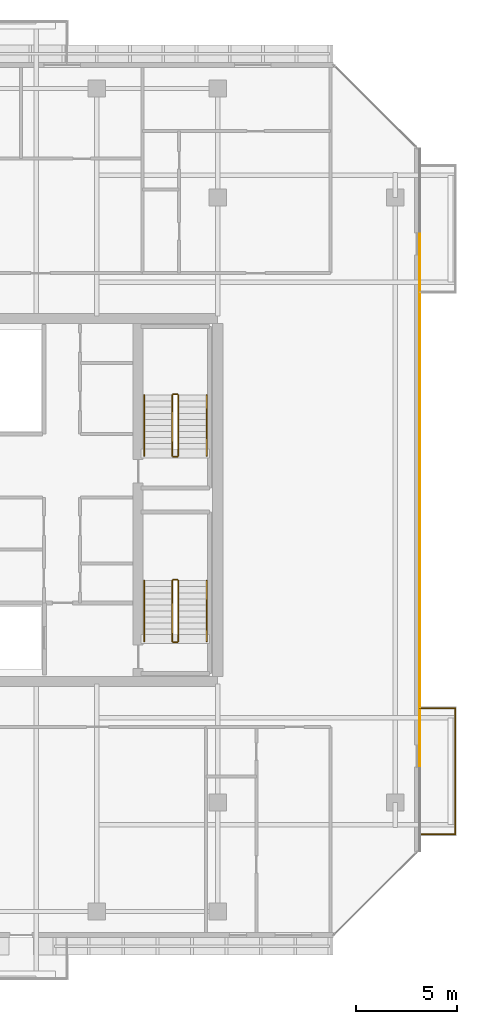
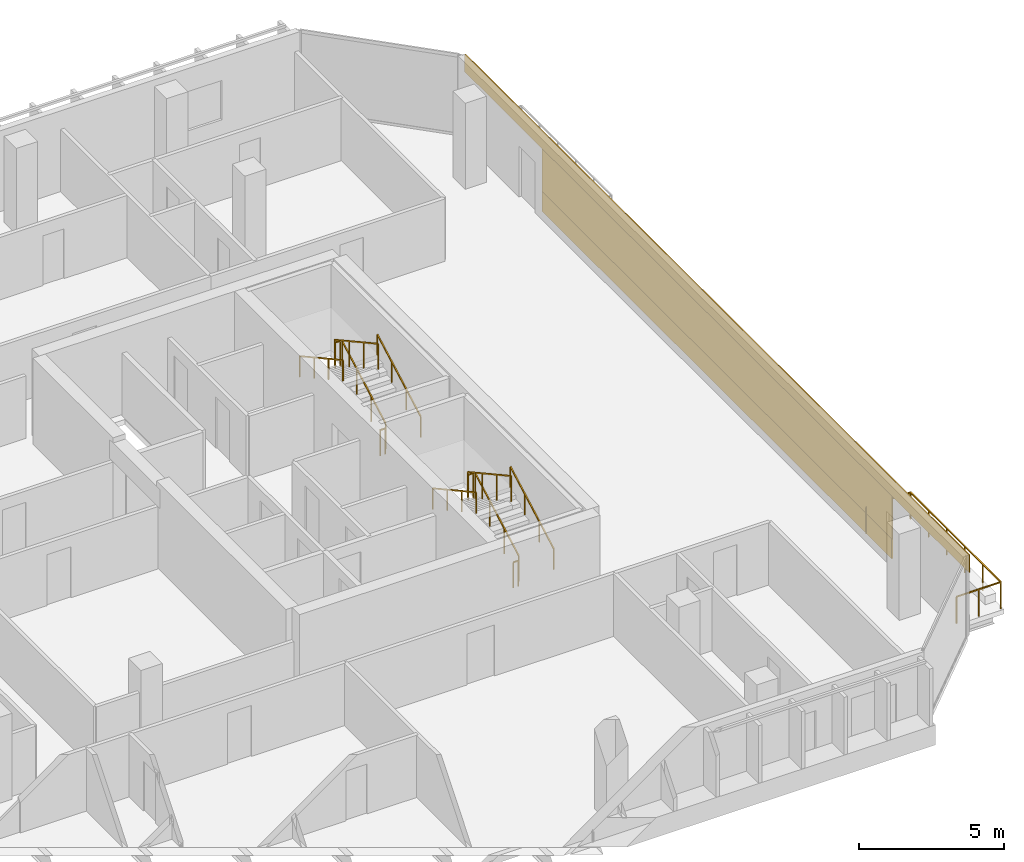
# One storey, part 29 of 30: 13 railings, 3 coverings.
"""IFC4 building model written with IfcOpenShell, lengths in metres."""

from ifc_helpers import new_model, si_unit, direction, frame, origin, origin_2d, place, context, subcontext, project, spatial, rectangle, extrude, material, layer, layer_set, type_object, element, save


model = new_model("IFC4")

# Units and contexts
model_context = context("Model", 3, precision=1e-05, world=origin(), true_north=direction((0.0, 1.0)))
body_context = subcontext(model_context, "Body", "Model", "MODEL_VIEW")
ifc_project = project(units=[si_unit("LENGTHUNIT", "METRE"), si_unit("AREAUNIT", "SQUARE_METRE"), si_unit("VOLUMEUNIT", "CUBIC_METRE"), si_unit("PLANEANGLEUNIT", "RADIAN"), si_unit("MASSUNIT", "GRAM", prefix="KILO")], contexts=[model_context])

# Site, building, storey
site_placement = place(None, origin())
site = spatial("IfcSite", under=ifc_project, at=site_placement, CompositionType="ELEMENT")
building_placement = place(site_placement, origin())
building = spatial("IfcBuilding", under=site, at=building_placement, Name="Tanjung Sevakor Pilgrim Tower", CompositionType="ELEMENT")
storey_placement = place(building_placement, frame((0.0, 0.0, 165.659912109375)))
storey = spatial("IfcBuildingStorey", under=building, at=storey_placement, Name="L46", CompositionType="ELEMENT", Elevation=165.659912109375)

# Coverings
ifc_material_1 = material(Name="Reconstructed Limestone Cladding", Category="masonry")
ifc_layer = layer(ifc_material_1, 0.044921875)
ifc_layer_set = layer_set([ifc_layer], Name="COV-CLAD-LIMESTONE")
covering_type = type_object("IfcCoveringType", Name="COV-CLAD-LIMESTONE", PredefinedType="CLADDING", material=ifc_layer_set)
covering_1_placement = place(storey_placement, frame((100.0224609375, 33.60009765625, 0.01025390625), z_axis=(0.0, 0.0, 1.0), x_axis=(0.0, 1.0, 0.0)))
element("IfcCovering", 1, at=covering_1_placement, inside=storey, type_object=covering_type, Name="L46 Warm Limestone Sill Spandrel EW-L46-MAIN-7-2", PredefinedType="CLADDING", context=body_context, shape_type="SweptSolid", body=[
    extrude(rectangle(XDim=24.179931640625, YDim=0.044921875, at=origin_2d()), origin(), (0.0, 0.0, 1.0), 0.840087890625),
])
covering_2_placement = place(storey_placement, frame((100.0224609375, 33.60009765625, 2.66015625), z_axis=(0.0, 0.0, 1.0), x_axis=(0.0, 1.0, 0.0)))
element("IfcCovering", 2, at=covering_2_placement, inside=storey, type_object=covering_type, Name="L46 Warm Limestone Cornice Spandrel EW-L46-MAIN-7", PredefinedType="CLADDING", context=body_context, shape_type="SweptSolid", body=[
    extrude(rectangle(XDim=34.8564453125, YDim=0.044921875, at=origin_2d()), origin(), (0.0, 0.0, 1.0), 0.739990234375),
])
covering_3_placement = place(storey_placement, frame((100.0224609375, 33.60009765625, 0.85009765625), z_axis=(0.0, 0.0, 1.0), x_axis=(0.0, 1.0, 0.0)))
element("IfcCovering", 3, at=covering_3_placement, inside=storey, type_object=covering_type, Name="L46 Warm Limestone Pier Panel EW-L46-MAIN-7-1", PredefinedType="CLADDING", context=body_context, shape_type="SweptSolid", body=[
    extrude(rectangle(XDim=24.199951171875, YDim=0.044921875, at=origin_2d()), origin(), (0.0, 0.0, 1.0), 1.81005859375),
])

# Railings
ifc_material_2 = material(Name="Laminated Glass and Aluminium", Category="aluminium")
railing_type_1 = type_object("IfcRailingType", Name="RL-BAL-BALUST", PredefinedType="BALUSTRADE", material=ifc_material_2)
railing_1_placement = place(storey_placement, frame((100.0, 17.030029296875, 0.0)))
element("IfcRailing", 4, at=railing_1_placement, inside=storey, type_object=railing_type_1, Name="L46 Loggia Balustrade MAIN-E1", PredefinedType="BALUSTRADE", context=body_context, shape_type="SweptSolid", body=[
    extrude(rectangle(XDim=0.0479, YDim=0.0479), frame((0.0, 0.0, 1.1259765625), z_axis=(1.0, 0.0, 0.0), x_axis=(0.0, 1.0, 0.0)), (0.0, 0.0, 1.0), 1.77001953125),
    extrude(rectangle(XDim=0.0479, YDim=0.0479), frame((1.77001953125, 0.0, 1.1259765625), z_axis=(0.0, 1.0, 0.0), x_axis=(-1.0, 0.0, 0.0)), (0.0, 0.0, 1.0), 6.239990234375),
    extrude(rectangle(XDim=0.0479, YDim=0.0479), frame((1.77001953125, 6.239990234375, 1.1259765625), z_axis=(-1.0, 0.0, 0.0), x_axis=(0.0, -1.0, 0.0)), (0.0, 0.0, 1.0), 1.77001953125),
    extrude(rectangle(XDim=0.042, YDim=0.042), origin(), (0.0, 0.0, 1.0), 1.101806640625),
    extrude(rectangle(XDim=0.042, YDim=0.042), frame((0.885009765625, 0.0, 0.0)), (0.0, 0.0, 1.0), 1.101806640625),
    extrude(rectangle(XDim=0.042, YDim=0.042), frame((1.77001953125, 0.0, 0.0)), (0.0, 0.0, 1.0), 1.101806640625),
    extrude(rectangle(XDim=0.042, YDim=0.042), frame((1.77001953125, 1.248046875, 0.0)), (0.0, 0.0, 1.0), 1.101806640625),
    extrude(rectangle(XDim=0.042, YDim=0.042), frame((1.77001953125, 2.49609375, 0.0)), (0.0, 0.0, 1.0), 1.101806640625),
    extrude(rectangle(XDim=0.042, YDim=0.042), frame((1.77001953125, 3.743896484375, 0.0)), (0.0, 0.0, 1.0), 1.101806640625),
    extrude(rectangle(XDim=0.042, YDim=0.042), frame((1.77001953125, 4.991943359375, 0.0)), (0.0, 0.0, 1.0), 1.101806640625),
    extrude(rectangle(XDim=0.042, YDim=0.042), frame((1.77001953125, 6.239990234375, 0.0)), (0.0, 0.0, 1.0), 1.101806640625),
    extrude(rectangle(XDim=0.042, YDim=0.042), frame((0.885009765625, 6.239990234375, 0.0)), (0.0, 0.0, 1.0), 1.101806640625),
    extrude(rectangle(XDim=0.042, YDim=0.042), frame((0.0, 6.239990234375, 0.0)), (0.0, 0.0, 1.0), 1.101806640625),
])
ifc_material_3 = material(Name="Steel S355J2", Category="steel")
railing_type_2 = type_object("IfcRailingType", Name="RL-STAIR-GUARD", PredefinedType="GUARDRAIL", material=ifc_material_3)
railing_2_placement = place(storey_placement, frame((88.050048828125, 26.60009765625, 0.1650390625)))
element("IfcRailing", 5, at=railing_2_placement, inside=storey, type_object=railing_type_2, Name="L46 TS-E1 stair guard 1", PredefinedType="GUARDRAIL", context=body_context, shape_type="SweptSolid", body=[
    extrude(rectangle(XDim=0.0479, YDim=0.0479), frame((0.0, 0.0, 1.076171875), z_axis=(0.0, 0.876197842262, 0.481951596342), x_axis=(-1.0, 0.0, 0.0)), (0.0, 0.0, 1.0), 3.423828125),
    extrude(rectangle(XDim=0.042, YDim=0.042), origin(), (0.0, 0.0, 1.0), 1.052001953125),
    extrude(rectangle(XDim=0.042, YDim=0.042), frame((0.0, 1.0, 0.550048828125)), (0.0, 0.0, 1.0), 1.052001953125),
    extrude(rectangle(XDim=0.042, YDim=0.042), frame((0.0, 2.0, 1.10009765625)), (0.0, 0.0, 1.0), 1.052001953125),
    extrude(rectangle(XDim=0.042, YDim=0.042), frame((0.0, 3.0, 1.650146484375)), (0.0, 0.0, 1.0), 1.052001953125),
])
railing_3_placement = place(storey_placement, frame((88.0, 29.64990234375, 1.815185546875)))
element("IfcRailing", 6, at=railing_3_placement, inside=storey, type_object=railing_type_2, Name="L46 TS-E1 stair guard 2", PredefinedType="GUARDRAIL", context=body_context, shape_type="SweptSolid", body=[
    extrude(rectangle(XDim=0.0479, YDim=0.0479), frame((0.0, 0.0, 1.076171875), z_axis=(-1.0, 0.0, 0.0), x_axis=(0.0, -1.0, 0.0)), (0.0, 0.0, 1.0), 0.199951171875),
    extrude(rectangle(XDim=0.042, YDim=0.042), origin(), (0.0, 0.0, 1.0), 1.052001953125),
    extrude(rectangle(XDim=0.042, YDim=0.042), frame((-0.199951171875, 0.0, 0.0)), (0.0, 0.0, 1.0), 1.052001953125),
])
railing_4_placement = place(storey_placement, frame((87.75, 29.60009765625, 1.97998046875)))
element("IfcRailing", 7, at=railing_4_placement, inside=storey, type_object=railing_type_2, Name="L46 TS-E1 stair guard 3", PredefinedType="GUARDRAIL", context=body_context, shape_type="SweptSolid", body=[
    extrude(rectangle(XDim=0.0479, YDim=0.0479), frame((0.0, 0.0, 1.076171875), z_axis=(0.0, -0.876197842262, 0.481951596342), x_axis=(1.0, 0.0, 0.0)), (0.0, 0.0, 1.0), 3.423828125),
    extrude(rectangle(XDim=0.042, YDim=0.042), origin(), (0.0, 0.0, 1.0), 1.052001953125),
    extrude(rectangle(XDim=0.042, YDim=0.042), frame((0.0, -1.0, 0.550048828125)), (0.0, 0.0, 1.0), 1.052001953125),
    extrude(rectangle(XDim=0.042, YDim=0.042), frame((0.0, -2.0, 1.10009765625)), (0.0, 0.0, 1.0), 1.052001953125),
    extrude(rectangle(XDim=0.042, YDim=0.042), frame((0.0, -3.0, 1.650146484375)), (0.0, 0.0, 1.0), 1.052001953125),
])
railing_5_placement = place(storey_placement, frame((88.0, 26.550048828125, 0.0)))
element("IfcRailing", 8, at=railing_5_placement, inside=storey, type_object=railing_type_2, Name="L46 TS-E1 stair guard 4", PredefinedType="GUARDRAIL", context=body_context, shape_type="SweptSolid", body=[
    extrude(rectangle(XDim=0.0479, YDim=0.0479), frame((0.0, 0.0, 1.076171875), z_axis=(-1.0, 0.0, 0.0), x_axis=(0.0, -1.0, 0.0)), (0.0, 0.0, 1.0), 0.199951171875),
    extrude(rectangle(XDim=0.042, YDim=0.042), origin(), (0.0, 0.0, 1.0), 1.052001953125),
    extrude(rectangle(XDim=0.042, YDim=0.042), frame((-0.199951171875, 0.0, 0.0)), (0.0, 0.0, 1.0), 1.052001953125),
])
railing_6_placement = place(storey_placement, frame((88.050048828125, 35.800048828125, 0.1650390625)))
element("IfcRailing", 9, at=railing_6_placement, inside=storey, type_object=railing_type_2, Name="L46 TS-E2 stair guard 1", PredefinedType="GUARDRAIL", context=body_context, shape_type="SweptSolid", body=[
    extrude(rectangle(XDim=0.0479, YDim=0.0479), frame((0.0, 0.0, 1.076171875), z_axis=(0.0, 0.876197842262, 0.481951596342), x_axis=(-1.0, 0.0, 0.0)), (0.0, 0.0, 1.0), 3.423828125),
    extrude(rectangle(XDim=0.042, YDim=0.042), origin(), (0.0, 0.0, 1.0), 1.052001953125),
    extrude(rectangle(XDim=0.042, YDim=0.042), frame((0.0, 1.0, 0.550048828125)), (0.0, 0.0, 1.0), 1.052001953125),
    extrude(rectangle(XDim=0.042, YDim=0.042), frame((0.0, 2.0, 1.10009765625)), (0.0, 0.0, 1.0), 1.052001953125),
    extrude(rectangle(XDim=0.042, YDim=0.042), frame((0.0, 3.0, 1.650146484375)), (0.0, 0.0, 1.0), 1.052001953125),
])
railing_7_placement = place(storey_placement, frame((88.0, 38.85009765625, 1.815185546875)))
element("IfcRailing", 10, at=railing_7_placement, inside=storey, type_object=railing_type_2, Name="L46 TS-E2 stair guard 2", PredefinedType="GUARDRAIL", context=body_context, shape_type="SweptSolid", body=[
    extrude(rectangle(XDim=0.0479, YDim=0.0479), frame((0.0, 0.0, 1.076171875), z_axis=(-1.0, 0.0, 0.0), x_axis=(0.0, -1.0, 0.0)), (0.0, 0.0, 1.0), 0.199951171875),
    extrude(rectangle(XDim=0.042, YDim=0.042), origin(), (0.0, 0.0, 1.0), 1.052001953125),
    extrude(rectangle(XDim=0.042, YDim=0.042), frame((-0.199951171875, 0.0, 0.0)), (0.0, 0.0, 1.0), 1.052001953125),
])
railing_8_placement = place(storey_placement, frame((87.75, 38.800048828125, 1.97998046875)))
element("IfcRailing", 11, at=railing_8_placement, inside=storey, type_object=railing_type_2, Name="L46 TS-E2 stair guard 3", PredefinedType="GUARDRAIL", context=body_context, shape_type="SweptSolid", body=[
    extrude(rectangle(XDim=0.0479, YDim=0.0479), frame((0.0, 0.0, 1.076171875), z_axis=(0.0, -0.876197842262, 0.481951596342), x_axis=(1.0, 0.0, 0.0)), (0.0, 0.0, 1.0), 3.423828125),
    extrude(rectangle(XDim=0.042, YDim=0.042), origin(), (0.0, 0.0, 1.0), 1.052001953125),
    extrude(rectangle(XDim=0.042, YDim=0.042), frame((0.0, -1.0, 0.550048828125)), (0.0, 0.0, 1.0), 1.052001953125),
    extrude(rectangle(XDim=0.042, YDim=0.042), frame((0.0, -2.0, 1.10009765625)), (0.0, 0.0, 1.0), 1.052001953125),
    extrude(rectangle(XDim=0.042, YDim=0.042), frame((0.0, -3.0, 1.650146484375)), (0.0, 0.0, 1.0), 1.052001953125),
])
railing_9_placement = place(storey_placement, frame((88.0, 35.75, 0.0)))
element("IfcRailing", 12, at=railing_9_placement, inside=storey, type_object=railing_type_2, Name="L46 TS-E2 stair guard 4", PredefinedType="GUARDRAIL", context=body_context, shape_type="SweptSolid", body=[
    extrude(rectangle(XDim=0.0479, YDim=0.0479), frame((0.0, 0.0, 1.076171875), z_axis=(-1.0, 0.0, 0.0), x_axis=(0.0, -1.0, 0.0)), (0.0, 0.0, 1.0), 0.199951171875),
    extrude(rectangle(XDim=0.042, YDim=0.042), origin(), (0.0, 0.0, 1.0), 1.052001953125),
    extrude(rectangle(XDim=0.042, YDim=0.042), frame((-0.199951171875, 0.0, 0.0)), (0.0, 0.0, 1.0), 1.052001953125),
])
ifc_material_4 = material(Name="Steel S355J2", Category="steel")
railing_type_3 = type_object("IfcRailingType", Name="RL-STAIR-HAND", PredefinedType="HANDRAIL", material=ifc_material_4)
railing_10_placement = place(storey_placement, frame((89.449951171875, 26.60009765625, 0.1650390625)))
element("IfcRailing", 13, at=railing_10_placement, inside=storey, type_object=railing_type_3, Name="L46 TS-E1 stair handrail 1", PredefinedType="HANDRAIL", context=body_context, shape_type="SweptSolid", body=[
    extrude(rectangle(XDim=0.0479, YDim=0.0479), frame((0.0, 0.0, 0.8759765625), z_axis=(0.0, 0.876197842262, 0.481951596342), x_axis=(-1.0, 0.0, 0.0)), (0.0, 0.0, 1.0), 3.423828125),
    extrude(rectangle(XDim=0.042, YDim=0.042), origin(), (0.0, 0.0, 1.0), 0.851806640625),
    extrude(rectangle(XDim=0.042, YDim=0.042), frame((0.0, 1.0, 0.550048828125)), (0.0, 0.0, 1.0), 0.851806640625),
    extrude(rectangle(XDim=0.042, YDim=0.042), frame((0.0, 2.0, 1.10009765625)), (0.0, 0.0, 1.0), 0.851806640625),
    extrude(rectangle(XDim=0.042, YDim=0.042), frame((0.0, 3.0, 1.650146484375)), (0.0, 0.0, 1.0), 0.851806640625),
])
railing_11_placement = place(storey_placement, frame((86.35009765625, 29.60009765625, 1.97998046875)))
element("IfcRailing", 14, at=railing_11_placement, inside=storey, type_object=railing_type_3, Name="L46 TS-E1 stair handrail 2", PredefinedType="HANDRAIL", context=body_context, shape_type="SweptSolid", body=[
    extrude(rectangle(XDim=0.0479, YDim=0.0479), frame((0.0, 0.0, 0.8759765625), z_axis=(0.0, -0.876197842262, 0.481951596342), x_axis=(1.0, 0.0, 0.0)), (0.0, 0.0, 1.0), 3.423828125),
    extrude(rectangle(XDim=0.042, YDim=0.042), origin(), (0.0, 0.0, 1.0), 0.851806640625),
    extrude(rectangle(XDim=0.042, YDim=0.042), frame((0.0, -1.0, 0.550048828125)), (0.0, 0.0, 1.0), 0.851806640625),
    extrude(rectangle(XDim=0.042, YDim=0.042), frame((0.0, -2.0, 1.10009765625)), (0.0, 0.0, 1.0), 0.851806640625),
    extrude(rectangle(XDim=0.042, YDim=0.042), frame((0.0, -3.0, 1.650146484375)), (0.0, 0.0, 1.0), 0.851806640625),
])
railing_12_placement = place(storey_placement, frame((89.449951171875, 35.800048828125, 0.1650390625)))
element("IfcRailing", 15, at=railing_12_placement, inside=storey, type_object=railing_type_3, Name="L46 TS-E2 stair handrail 1", PredefinedType="HANDRAIL", context=body_context, shape_type="SweptSolid", body=[
    extrude(rectangle(XDim=0.0479, YDim=0.0479), frame((0.0, 0.0, 0.8759765625), z_axis=(0.0, 0.876197842262, 0.481951596342), x_axis=(-1.0, 0.0, 0.0)), (0.0, 0.0, 1.0), 3.423828125),
    extrude(rectangle(XDim=0.042, YDim=0.042), origin(), (0.0, 0.0, 1.0), 0.851806640625),
    extrude(rectangle(XDim=0.042, YDim=0.042), frame((0.0, 1.0, 0.550048828125)), (0.0, 0.0, 1.0), 0.851806640625),
    extrude(rectangle(XDim=0.042, YDim=0.042), frame((0.0, 2.0, 1.10009765625)), (0.0, 0.0, 1.0), 0.851806640625),
    extrude(rectangle(XDim=0.042, YDim=0.042), frame((0.0, 3.0, 1.650146484375)), (0.0, 0.0, 1.0), 0.851806640625),
])
railing_13_placement = place(storey_placement, frame((86.35009765625, 38.800048828125, 1.97998046875)))
element("IfcRailing", 16, at=railing_13_placement, inside=storey, type_object=railing_type_3, Name="L46 TS-E2 stair handrail 2", PredefinedType="HANDRAIL", context=body_context, shape_type="SweptSolid", body=[
    extrude(rectangle(XDim=0.0479, YDim=0.0479), frame((0.0, 0.0, 0.8759765625), z_axis=(0.0, -0.876197842262, 0.481951596342), x_axis=(1.0, 0.0, 0.0)), (0.0, 0.0, 1.0), 3.423828125),
    extrude(rectangle(XDim=0.042, YDim=0.042), origin(), (0.0, 0.0, 1.0), 0.851806640625),
    extrude(rectangle(XDim=0.042, YDim=0.042), frame((0.0, -1.0, 0.550048828125)), (0.0, 0.0, 1.0), 0.851806640625),
    extrude(rectangle(XDim=0.042, YDim=0.042), frame((0.0, -2.0, 1.10009765625)), (0.0, 0.0, 1.0), 0.851806640625),
    extrude(rectangle(XDim=0.042, YDim=0.042), frame((0.0, -3.0, 1.650146484375)), (0.0, 0.0, 1.0), 0.851806640625),
])

save(model, "model.ifc")
